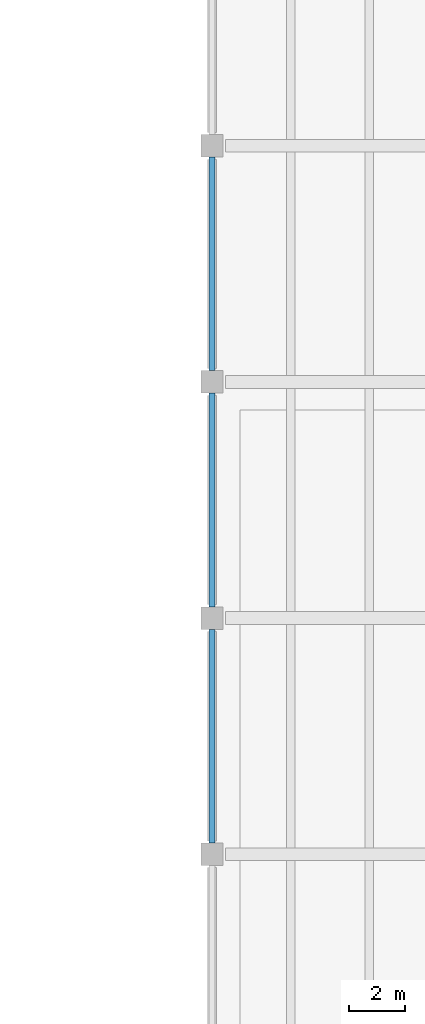
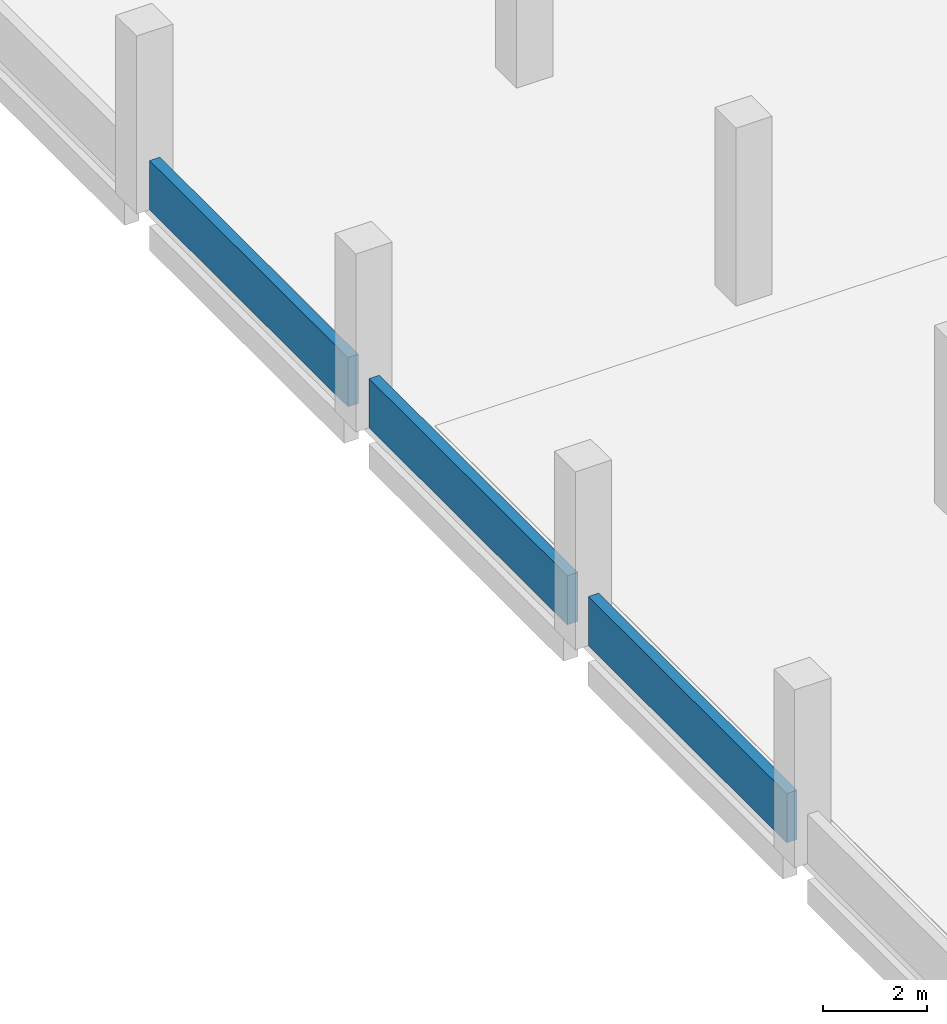
# One storey, part 151 of 177: 3 walls.
"""IFC4 building model written with IfcOpenShell, lengths in metres."""

from ifc_helpers import new_model, si_unit, direction, frame, frame_2d, origin, place, context, subcontext, project, spatial, rectangle, extrude, material, layer, layer_set, type_object, element, save


model = new_model("IFC4")

# Units and contexts
model_context = context("Model", 3, precision=1e-05, world=origin(), true_north=direction((0.0, 1.0)))
body_context = subcontext(model_context, "Body", "Model", "MODEL_VIEW")
ifc_project = project(units=[si_unit("LENGTHUNIT", "METRE"), si_unit("AREAUNIT", "SQUARE_METRE"), si_unit("VOLUMEUNIT", "CUBIC_METRE"), si_unit("PLANEANGLEUNIT", "RADIAN"), si_unit("MASSUNIT", "GRAM", prefix="KILO"), si_unit("THERMODYNAMICTEMPERATUREUNIT", "KELVIN"), si_unit("POWERUNIT", "WATT")], contexts=[model_context])

# Site, building, storey
site_placement = place(None, origin())
site = spatial("IfcSite", under=ifc_project, at=site_placement, CompositionType="ELEMENT")
building_placement = place(site_placement, origin())
building = spatial("IfcBuilding", under=site, at=building_placement, Name="Mavoryth Pier Ferry Terminal", CompositionType="ELEMENT")
storey_placement = place(building_placement, frame((0.0, 0.0, 5.43994140625)))
storey = spatial("IfcBuildingStorey", under=building, at=storey_placement, Name="L01", CompositionType="ELEMENT", Elevation=5.43994140625)

# Walls
ifc_material = material(Name="Concrete C40/50", Category="concrete")
ifc_layer = layer(ifc_material, 0.22998046875, Name="Concrete C40/50", Category="concrete")
ifc_layer_set = layer_set([ifc_layer], Name="Concrete C40/50 - ExtWall-CrashUpstand-230")
wall_type = type_object("IfcWallType", Name="ExtWall-CrashUpstand-230", PredefinedType="PARAPET", material=ifc_layer_set)
wall_1_placement = place(storey_placement, frame((109.199951171875, 39.199951171875, 0.0), z_axis=(0.0, 0.0, 1.0), x_axis=(0.0, 1.0, 0.0)))
element("IfcWall", 1, at=wall_1_placement, inside=storey, type_object=wall_type, Name="Exterior Wall EW-L01-085", PredefinedType="PARAPET", context=body_context, shape_type="SweptSolid", body=[
    extrude(rectangle(XDim=7.60009765625, YDim=0.22998046875, at=frame_2d((3.800048828125, 0.0))), origin(), (0.0, 0.0, 1.0), 1.150146484375),
])
wall_2_placement = place(storey_placement, frame((109.199951171875, 47.60009765625, 0.0), z_axis=(0.0, 0.0, 1.0), x_axis=(0.0, 1.0, 0.0)))
element("IfcWall", 2, at=wall_2_placement, inside=storey, type_object=wall_type, Name="Exterior Wall EW-L01-087", PredefinedType="PARAPET", context=body_context, shape_type="SweptSolid", body=[
    extrude(rectangle(XDim=7.599853515625, YDim=0.22998046875, at=frame_2d((3.7998046875, 0.0))), origin(), (0.0, 0.0, 1.0), 1.150146484375),
])
wall_3_placement = place(storey_placement, frame((109.199951171875, 56.0, 0.0), z_axis=(0.0, 0.0, 1.0), x_axis=(0.0, 1.0, 0.0)))
element("IfcWall", 3, at=wall_3_placement, inside=storey, type_object=wall_type, Name="Exterior Wall EW-L01-089", PredefinedType="PARAPET", context=body_context, shape_type="SweptSolid", body=[
    extrude(rectangle(XDim=7.60009765625, YDim=0.22998046875, at=frame_2d((3.800048828125, 0.0))), origin(), (0.0, 0.0, 1.0), 1.150146484375),
])

save(model, "model.ifc")
